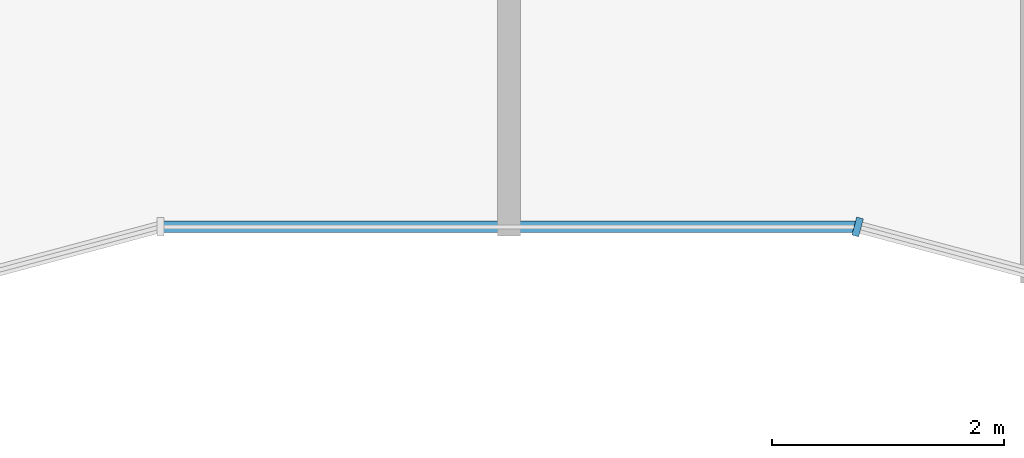
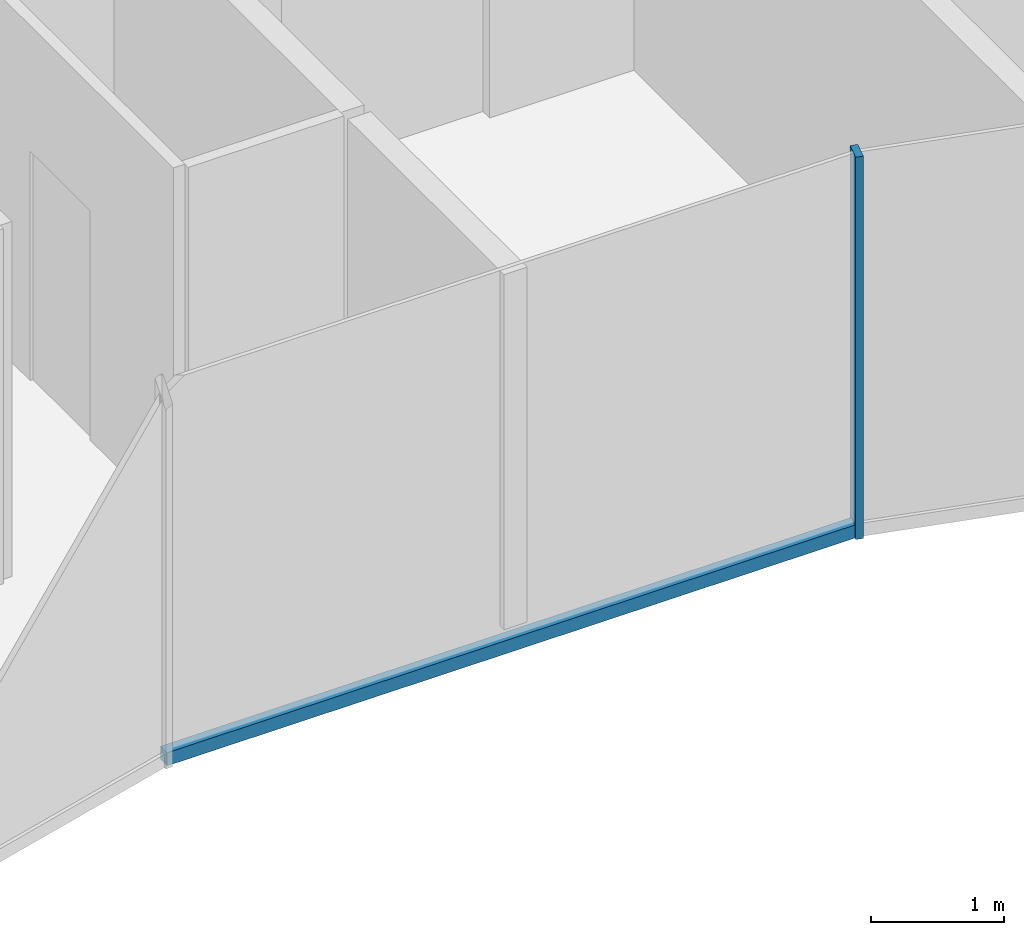
# One storey, part 3 of 10: 2 members, 2 elements without a shape of their own.
"""IFC4 building model written with IfcOpenShell, lengths in metres."""

from ifc_helpers import new_model, si_unit, direction, frame, origin, origin_2d, place, context, subcontext, project, spatial, rectangle, extrude, material, layer, layer_set, material_profile, profile_set, type_object, element, aggregate, save


model = new_model("IFC4")

# Units and contexts
model_context = context("Model", 3, precision=1e-05, world=origin(), true_north=direction((0.0, 1.0)))
body_context = subcontext(model_context, "Body", "Model", "MODEL_VIEW")
ifc_project = project(units=[si_unit("LENGTHUNIT", "METRE"), si_unit("AREAUNIT", "SQUARE_METRE"), si_unit("VOLUMEUNIT", "CUBIC_METRE"), si_unit("PLANEANGLEUNIT", "RADIAN"), si_unit("MASSUNIT", "GRAM", prefix="KILO")], contexts=[model_context])

# Site, building, storey
site_placement = place(None, origin())
site = spatial("IfcSite", under=ifc_project, at=site_placement, CompositionType="ELEMENT")
building_placement = place(site_placement, origin())
building = spatial("IfcBuilding", under=site, at=building_placement, Name="Plateau Cross Towers", CompositionType="ELEMENT")
storey_placement = place(building_placement, frame((0.0, 0.0, 256.39990234375)))
storey = spatial("IfcBuildingStorey", under=building, at=storey_placement, Name="L67", CompositionType="ELEMENT", Elevation=256.39990234375)

# Curtain wall, member
ifc_material_1 = material(Name="Dark low-iron glass", Category="glass")
ifc_layer = layer(ifc_material_1, 0.260009765625)
ifc_layer_set = layer_set([ifc_layer], Name="Dark low-iron glass")
curtain_wall_type = type_object("IfcCurtainWallType", Name="Curtain wall fluted unitised CW-A", PredefinedType="NOTDEFINED", material=ifc_layer_set)
curtain_wall_1_placement = place(storey_placement, origin())
curtain_wall_1 = element("IfcCurtainWall", 1, at=curtain_wall_1_placement, inside=storey, type_object=curtain_wall_type, Name="ENV/A/L67/A300_16", PredefinedType="NOTDEFINED")
ifc_material_2 = material(Name="Black anodised aluminium", Category="aluminium")
ifc_material_profile_1 = material_profile(ifc_material_2, rectangle(XDim=0.06005859375, YDim=0.159912109375, at=origin_2d()), Name="MULLION 60x160")
ifc_profile_set_1 = profile_set([ifc_material_profile_1], Name="Black anodised aluminium")
member_type_1 = type_object("IfcMemberType", Name="Mullion 60x160 fluted unitised", PredefinedType="MULLION", material=ifc_profile_set_1)
member_1_placement = place(storey_placement, frame((30.0, 1.60693359375, -0.25), z_axis=(0.0, 0.0, 1.0), x_axis=(0.965957983404, -0.258699003279, 0.0)))
member_1 = element("IfcMember", 2, at=member_1_placement, type_object=member_type_1, Name="CW-A mullion 1", PredefinedType="MULLION", context=body_context, shape_type="SweptSolid", body=[
    extrude(rectangle(XDim=0.06005859375, YDim=0.159912109375, at=origin_2d()), origin(), (0.0, 0.0, 1.0), 3.5),
])
aggregate(curtain_wall_1, [member_1])

curtain_wall_2_placement = place(storey_placement, origin())
curtain_wall_2 = element("IfcCurtainWall", 3, at=curtain_wall_2_placement, inside=storey, type_object=curtain_wall_type, Name="ENV/A/L67/A240_16", PredefinedType="NOTDEFINED")
ifc_material_profile_2 = material_profile(ifc_material_2, rectangle(XDim=0.10009765625, YDim=0.1201171875, at=origin_2d()), Name="TRANSOM 100x120")
ifc_profile_set_2 = profile_set([ifc_material_profile_2], Name="Black anodised aluminium")
member_type_2 = type_object("IfcMemberType", Name="Transom 100x120 fluted unitised", PredefinedType="USERDEFINED", material=ifc_profile_set_2)
member_2_placement = place(storey_placement, frame((24.0, 1.60693359375, -0.18994140625), z_axis=(1.0, 0.0, 0.0), x_axis=(0.0, 1.0, 0.0)))
member_2 = element("IfcMember", 4, at=member_2_placement, type_object=member_type_2, Name="CW-A transom", ObjectType="TRANSOM", PredefinedType="USERDEFINED", context=body_context, shape_type="SweptSolid", body=[
    extrude(rectangle(XDim=0.10009765625, YDim=0.1201171875, at=origin_2d()), origin(), (0.0, 0.0, 1.0), 6.0),
])
aggregate(curtain_wall_2, [member_2])

save(model, "model.ifc")
